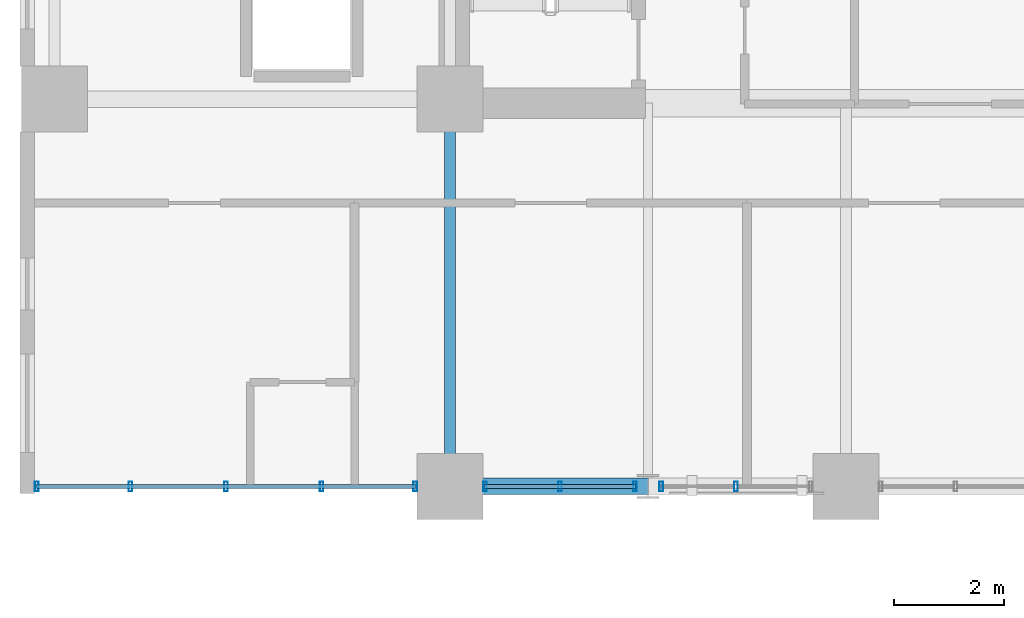
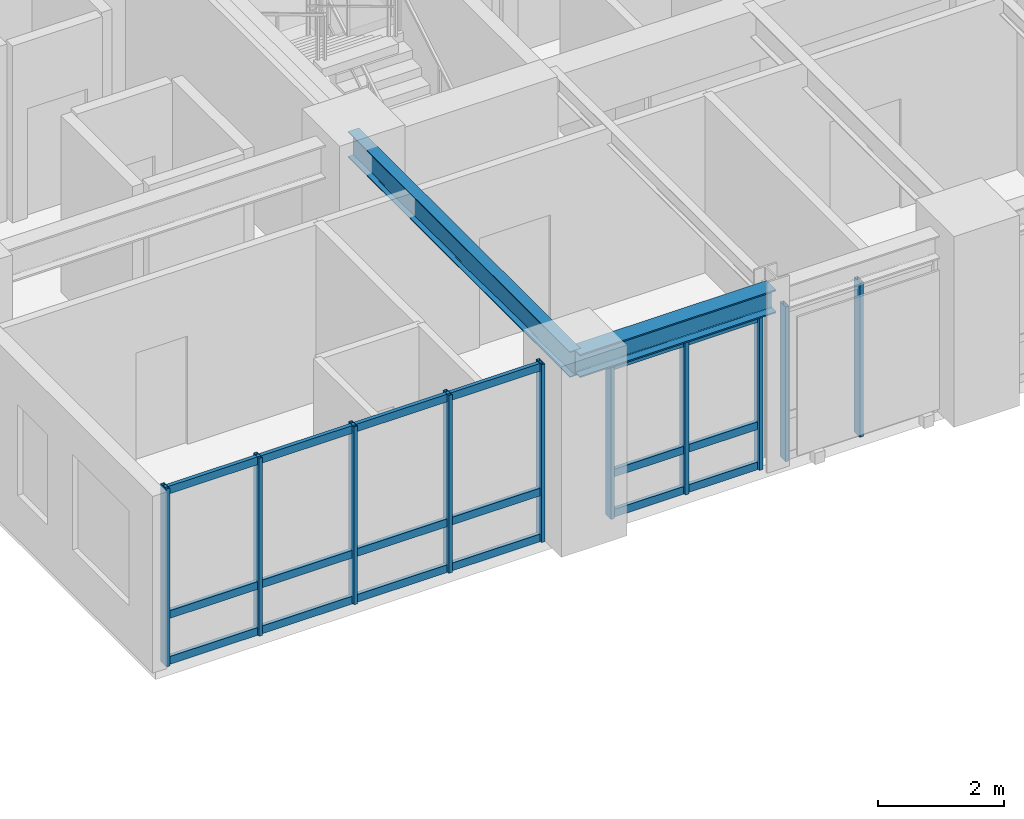
# One storey, part 2 of 16: 16 members, 2 beams, 3 elements without a shape of their own.
"""IFC4 building model written with IfcOpenShell, lengths in metres."""

import ifcopenshell
import ifcopenshell.guid

model = None  # the IFC model being written
_history = None  # IfcOwnerHistory: only IFC2X3 demands one
_inside = {}  # id of a spatial element -> (the spatial element, [elements in it])
_under = {}  # id of a project, library or spatial element -> (it, [spatial elements below it])
_declared = {}  # id of a project -> (the project, [libraries it declares])
_typed = {}  # id of a type object -> (the type object, [elements of that type])
_made_of = {}  # id of a material, layer set ... -> (it, [elements and type objects made of it])


def new_model(schema):
    """Start an empty IFC model of exactly this schema.

    Asked for "IFC4X3", IfcOpenShell would pick the latest addendum, in which some entities
    have other attributes; the version numbers below select the first issue.
    IFC2X3 requires an IfcOwnerHistory on every rooted entity: one is made here for all.
    """
    global model, _history
    if schema == "IFC4X3":
        model = ifcopenshell.file(schema_version=(4, 3, 0, 0))
    else:
        model = ifcopenshell.file(schema=schema)
    _inside.clear()
    _under.clear()
    _declared.clear()
    _typed.clear()
    _made_of.clear()
    _history = None
    if model.schema == "IFC2X3":
        org = make("IfcOrganization", Name="unknown")
        user = make(
            "IfcPersonAndOrganization",
            ThePerson=make("IfcPerson", FamilyName="unknown"),
            TheOrganization=org,
        )
        app = make(
            "IfcApplication",
            ApplicationDeveloper=org,
            Version="unknown",
            ApplicationFullName="unknown",
            ApplicationIdentifier="unknown",
        )
        _history = make(
            "IfcOwnerHistory",
            OwningUser=user,
            OwningApplication=app,
            ChangeAction="ADDED",
            CreationDate=0,
        )
    return model


def make(cls, **values):
    """One entity of the class cls with the attributes given. An attribute that is None is left unset."""
    return model.create_entity(
        cls, **{name: value for name, value in values.items() if value is not None}
    )


def rooted(cls, **values):
    """An entity with a GlobalId (a new one), such as an element, a storey or a relation."""
    return make(cls, GlobalId=ifcopenshell.guid.new(), OwnerHistory=_history, **values)


def si_unit(unit_type, name, prefix=None):
    """IfcSIUnit, for example si_unit("LENGTHUNIT", "METRE", prefix="MILLI")."""
    return make("IfcSIUnit", UnitType=unit_type, Prefix=prefix, Name=name)


def assignment(units):
    """IfcUnitAssignment: the units of a project."""
    return None if units is None else make("IfcUnitAssignment", Units=units)


def point(xyz):
    """IfcCartesianPoint."""
    return None if xyz is None else make("IfcCartesianPoint", Coordinates=xyz)


def direction(xyz):
    """IfcDirection."""
    return None if xyz is None else make("IfcDirection", DirectionRatios=xyz)


def frame(location, z_axis=None, x_axis=None):
    """IfcAxis2Placement3D, a coordinate frame: its origin and axes. An axis left out is left unset."""
    return make(
        "IfcAxis2Placement3D",
        Location=point(location),
        Axis=direction(z_axis),
        RefDirection=direction(x_axis),
    )


def frame_2d(location, x_axis=None):
    """IfcAxis2Placement2D, a coordinate frame in the plane: its origin and x axis."""
    return make(
        "IfcAxis2Placement2D", Location=point(location), RefDirection=direction(x_axis)
    )


def origin():
    """The frame at (0, 0, 0) with its axes left unset."""
    return frame((0.0, 0.0, 0.0))


def origin_2d():
    """The frame at (0, 0) in the plane with its x axis left unset."""
    return frame_2d((0.0, 0.0))


def place(relative_to, where):
    """IfcLocalPlacement: puts the frame where relative to a parent placement (None: the world)."""
    return make(
        "IfcLocalPlacement", PlacementRelTo=relative_to, RelativePlacement=where
    )


def context(
    kind, dimensions, precision=None, world=None, true_north=None, identifier=None
):
    """IfcGeometricRepresentationContext, for example the 3D "Model" context."""
    return make(
        "IfcGeometricRepresentationContext",
        ContextIdentifier=identifier,
        ContextType=kind,
        CoordinateSpaceDimension=dimensions,
        Precision=precision,
        WorldCoordinateSystem=world,
        TrueNorth=true_north,
    )


def subcontext(parent, identifier, kind, view, scale=None):
    """IfcGeometricRepresentationSubContext, for example "Body" below "Model"."""
    return make(
        "IfcGeometricRepresentationSubContext",
        ContextIdentifier=identifier,
        ContextType=kind,
        ParentContext=parent,
        TargetScale=scale,
        TargetView=view,
    )


def project(units=None, contexts=None):
    """IfcProject with its units and contexts."""
    return rooted(
        "IfcProject",
        Name="project",
        RepresentationContexts=contexts,
        UnitsInContext=assignment(units),
    )


def spatial(cls, under=None, at=None, **own):
    """A site, building, storey or space (cls), placed at a placement, below another one or the project."""
    s = rooted(cls, ObjectPlacement=at, **own)
    if under is not None:
        _under.setdefault(under.id(), (under, []))[1].append(s)
    return s


def profile(cls, at=None, kind="AREA", **sizes):
    """A parametric profile (cls). Its sizes go by their IFC names, for example OverallWidth=200.0."""
    return make(cls, ProfileType=kind, Position=at, **sizes)


def hollow_rectangle(**sizes):
    """IfcRectangleHollowProfileDef."""
    return profile("IfcRectangleHollowProfileDef", **sizes)


def i_section(**sizes):
    """IfcIShapeProfileDef."""
    return profile("IfcIShapeProfileDef", **sizes)


def extrude(swept, where, along, depth):
    """IfcExtrudedAreaSolid: the profile swept, set in the frame where, extruded along a direction by depth."""
    return make(
        "IfcExtrudedAreaSolid",
        SweptArea=swept,
        Position=where,
        ExtrudedDirection=direction(along),
        Depth=depth,
    )


def shape(context_of_items, identifier, shape_type, items):
    """IfcShapeRepresentation: the items that make up one representation, for example the "Body"."""
    return make(
        "IfcShapeRepresentation",
        ContextOfItems=context_of_items,
        RepresentationIdentifier=identifier,
        RepresentationType=shape_type,
        Items=items,
    )


def source(mapping_origin, context_of_items, identifier, shape_type, items):
    """IfcRepresentationMap: a shape defined once, which mapped items show again and again."""
    return make(
        "IfcRepresentationMap",
        MappingOrigin=mapping_origin,
        MappedRepresentation=shape(context_of_items, identifier, shape_type, items),
    )


def transform(
    local_origin,
    x_axis=None,
    y_axis=None,
    z_axis=None,
    scale=None,
    scale2=None,
    scale3=None,
    uniform=True,
):
    """IfcCartesianTransformationOperator3D, or its non-uniform kind. x_axis, y_axis, z_axis: its Axis1, 2, 3."""
    if uniform:
        return make(
            "IfcCartesianTransformationOperator3D",
            Axis1=direction(x_axis),
            Axis2=direction(y_axis),
            LocalOrigin=point(local_origin),
            Scale=scale,
            Axis3=direction(z_axis),
        )
    return make(
        "IfcCartesianTransformationOperator3DnonUniform",
        Axis1=direction(x_axis),
        Axis2=direction(y_axis),
        LocalOrigin=point(local_origin),
        Scale=scale,
        Axis3=direction(z_axis),
        Scale2=scale2,
        Scale3=scale3,
    )


def mapped(mapping_source, mapping_target):
    """IfcMappedItem: shows the shape of a source again, moved by a transform."""
    return make(
        "IfcMappedItem", MappingSource=mapping_source, MappingTarget=mapping_target
    )


def material(Name=None, Category=None):
    """IfcMaterial."""
    return make("IfcMaterial", Name=Name, Category=Category)


def layer(
    of_material, thickness, ventilated=None, Name=None, Category=None, Priority=None
):
    """IfcMaterialLayer: one layer of a wall or slab, of a material (None: an air gap)."""
    return make(
        "IfcMaterialLayer",
        Material=of_material,
        LayerThickness=thickness,
        IsVentilated=ventilated,
        Name=Name,
        Category=Category,
        Priority=Priority,
    )


def layer_set(layers, Name=None):
    """IfcMaterialLayerSet."""
    return make("IfcMaterialLayerSet", MaterialLayers=layers, LayerSetName=Name)


def material_profile(
    of_material, cross_section, Name=None, Category=None, Priority=None
):
    """IfcMaterialProfile: a cross section and its material."""
    return make(
        "IfcMaterialProfile",
        Name=Name,
        Material=of_material,
        Profile=cross_section,
        Priority=Priority,
        Category=Category,
    )


def profile_set(profiles, Name=None, composite=None):
    """IfcMaterialProfileSet."""
    return make(
        "IfcMaterialProfileSet",
        Name=Name,
        MaterialProfiles=profiles,
        CompositeProfile=composite,
    )


def made_of(thing, what):
    """Note that an element or type object is made of a material, layer set ...; save() writes the relation."""
    if what is not None:
        _made_of.setdefault(what.id(), (what, []))[1].append(thing)
    return thing


def type_object(cls, material=None, **own):
    """A type object (cls), such as IfcWallType, which elements share."""
    return made_of(rooted(cls, **own), material)


def element(
    cls,
    number,
    at=None,
    inside=None,
    cuts=None,
    type_object=None,
    material=None,
    context=None,
    identifier="Body",
    shape_type=None,
    held_by="IfcProductDefinitionShape",
    body=None,
    shapes=None,
    **own,
):
    """One element of the class cls, such as IfcWall. Its Tag is "e" and its number.

    at: its placement. inside: the storey or other place that contains it. cuts: it is an
    opening in that element (IfcRelVoidsElement). A single representation is given by context,
    identifier, shape_type and body (its items); several are given by shapes. held_by: the class
    of the entity that holds the representations. save() writes the other relations.
    """
    e = rooted(cls, Tag="e%d" % number, ObjectPlacement=at, **own)
    if body is not None:
        shapes = [shape(context, identifier, shape_type, body)]
    if shapes is not None:
        e.Representation = make(held_by, Representations=shapes)
    if inside is not None:
        _inside.setdefault(inside.id(), (inside, []))[1].append(e)
    if cuts is not None:
        rooted(
            "IfcRelVoidsElement", RelatingBuildingElement=cuts, RelatedOpeningElement=e
        )
    if type_object is not None:
        _typed.setdefault(type_object.id(), (type_object, []))[1].append(e)
    return made_of(e, material)


def aggregate(whole, parts):
    """IfcRelAggregates: a whole, such as a stair, and the parts it consists of."""
    return rooted("IfcRelAggregates", RelatingObject=whole, RelatedObjects=parts)


def save(model, path):
    """Write the relations noted so far, then the file.

    IfcRelAggregates (storeys below a building ...), IfcRelContainedInSpatialStructure (elements
    in a storey), IfcRelDefinesByType, IfcRelAssociatesMaterial and IfcRelDeclares: one each for
    every whole, place, type object, material and project.
    """
    for whole, parts in _under.values():
        aggregate(whole, parts)
    for where, things in _inside.values():
        rooted(
            "IfcRelContainedInSpatialStructure",
            RelatedElements=things,
            RelatingStructure=where,
        )
    for kind, things in _typed.values():
        rooted("IfcRelDefinesByType", RelatedObjects=things, RelatingType=kind)
    for what, things in _made_of.values():
        rooted("IfcRelAssociatesMaterial", RelatedObjects=things, RelatingMaterial=what)
    for by, libraries in _declared.values():
        rooted("IfcRelDeclares", RelatingContext=by, RelatedDefinitions=libraries)
    model.write(path)


model = new_model("IFC4")

# Units and contexts
model_context = context("Model", 3, precision=1e-05, world=origin(), true_north=direction((0.0, 1.0)))
body_context = subcontext(model_context, "Body", "Model", "MODEL_VIEW")
ifc_project = project(units=[si_unit("LENGTHUNIT", "METRE"), si_unit("AREAUNIT", "SQUARE_METRE"), si_unit("VOLUMEUNIT", "CUBIC_METRE"), si_unit("PLANEANGLEUNIT", "RADIAN"), si_unit("MASSUNIT", "GRAM", prefix="KILO")], contexts=[model_context])

# Site, building, storey
site_placement = place(None, origin())
site = spatial("IfcSite", under=ifc_project, at=site_placement, CompositionType="ELEMENT")
building_placement = place(site_placement, origin())
building = spatial("IfcBuilding", under=site, at=building_placement, Name="Kaliganga Portal Commons", CompositionType="ELEMENT")
storey_placement = place(building_placement, frame((0.0, 0.0, 97.10009765625)))
storey = spatial("IfcBuildingStorey", under=building, at=storey_placement, Name="L24", CompositionType="ELEMENT", Elevation=97.10009765625)

# Beams
ifc_material_1 = material(Name="Structural steel S355J2", Category="steel")
ifc_material_profile_1 = material_profile(ifc_material_1, i_section(OverallWidth=0.199951171875, OverallDepth=0.5, WebThickness=0.01025390625, FlangeThickness=0.01611328125, FilletRadius=0.02099609375, at=origin_2d()), Name="IPE 500")
ifc_profile_set_1 = profile_set([ifc_material_profile_1], Name="Structural steel S355J2 wide-flange")
beam_type_1 = type_object("IfcBeamType", Name="BM-FLR-500", PredefinedType="BEAM", material=ifc_profile_set_1)
shared_shape_1 = source(origin(), body_context, "Body", "SweptSolid", [
    extrude(i_section(OverallWidth=0.199951171875, OverallDepth=0.5, WebThickness=0.01025390625, FlangeThickness=0.01611328125, FilletRadius=0.02099609375, at=origin_2d()), origin(), (0.0, 0.0, 1.0), 7.0498046875),
])
beam_1_placement = place(storey_placement, frame((14.39990234375, 21.60009765625, 3.199951171875), z_axis=(0.0, 1.0, 0.0), x_axis=(-1.0, 0.0, 0.0)))
element("IfcBeam", 1, at=beam_1_placement, inside=storey, type_object=beam_type_1, Name="BM G L24 AS144", PredefinedType="BEAM", context=body_context, shape_type="MappedRepresentation", body=[
    mapped(shared_shape_1, transform((0.0, 0.0, 0.0), x_axis=(1.0, 0.0, 0.0), y_axis=(0.0, 1.0, 0.0), z_axis=(0.0, 0.0, 1.0), scale=1.0)),
])
ifc_material_profile_2 = material_profile(ifc_material_1, i_section(OverallWidth=0.300048828125, OverallDepth=0.449951171875, WebThickness=0.013916015625, FlangeThickness=0.02587890625, FilletRadius=0.027099609375, at=origin_2d()), Name="HE 450 B")
ifc_profile_set_2 = profile_set([ifc_material_profile_2], Name="Structural steel S355J2 wide-flange")
beam_type_2 = type_object("IfcBeamType", Name="BM-SPAND-450", PredefinedType="SPANDREL", material=ifc_profile_set_2)
shared_shape_2 = source(origin(), body_context, "Body", "SweptSolid", [
    extrude(i_section(OverallWidth=0.300048828125, OverallDepth=0.449951171875, WebThickness=0.013916015625, FlangeThickness=0.02587890625, FilletRadius=0.027099609375, at=origin_2d()), origin(), (0.0, 0.0, 1.0), 3.60009765625),
])
beam_2_placement = place(storey_placement, frame((14.39990234375, 21.60009765625, 3.224853515625), z_axis=(1.0, 0.0, 0.0), x_axis=(0.0, 1.0, 0.0)))
element("IfcBeam", 2, at=beam_2_placement, inside=storey, type_object=beam_type_2, Name="BM SP L24 AS 1", PredefinedType="SPANDREL", context=body_context, shape_type="MappedRepresentation", body=[
    mapped(shared_shape_2, transform((0.0, 0.0, 0.0), x_axis=(1.0, 0.0, 0.0), y_axis=(0.0, 1.0, 0.0), z_axis=(0.0, 0.0, 1.0), scale=1.0)),
])

# Curtain wall, members
ifc_material_2 = material(Name="Anodized Aluminium and Laminated Low-E Glass", Category="aluminium")
ifc_layer = layer(ifc_material_2, 0.2099609375)
ifc_layer_set = layer_set([ifc_layer], Name="Anodized Aluminium and Laminated Low-E Glass")
curtain_wall_type = type_object("IfcCurtainWallType", Name="CW-SYS-03", PredefinedType="NOTDEFINED", material=ifc_layer_set)
curtain_wall_1_placement = place(storey_placement, origin())
curtain_wall_1 = element("IfcCurtainWall", 3, at=curtain_wall_1_placement, inside=storey, type_object=curtain_wall_type, Name="CW 03 L24 P1E04S1", PredefinedType="NOTDEFINED")
ifc_material_3 = material(Name="Dark Bronze Anodized Aluminium", Category="aluminium")
ifc_material_profile_3 = material_profile(ifc_material_3, hollow_rectangle(XDim=0.06494140625, YDim=0.179931640625, WallThickness=0.00390625, at=origin_2d()), Name="ALU MULL 65x180x4")
ifc_profile_set_3 = profile_set([ifc_material_profile_3], Name="Dark Bronze Anodized Aluminium")
member_type_1 = type_object("IfcMemberType", Name="CW-MUL-180", PredefinedType="MULLION", material=ifc_profile_set_3)
shared_shape_3 = source(origin(), body_context, "Body", "SweptSolid", [
    extrude(hollow_rectangle(XDim=0.06494140625, YDim=0.179931640625, WallThickness=0.00390625, at=origin_2d()), origin(), (0.0, 0.0, 1.0), 3.449951171875),
])
member_1_placement = place(storey_placement, frame((6.875, 21.60009765625, 0.0), z_axis=(0.0, 0.0, 1.0), x_axis=(1.0, 0.0, 0.0)))
member_1 = element("IfcMember", 4, at=member_1_placement, type_object=member_type_1, Name="CW:03:L24:P1E04S1 Mullion 00", PredefinedType="MULLION", context=body_context, shape_type="MappedRepresentation", body=[
    mapped(shared_shape_3, transform((0.0, 0.0, 0.0), x_axis=(1.0, 0.0, 0.0), y_axis=(0.0, 1.0, 0.0), z_axis=(0.0, 0.0, 1.0), scale=1.0)),
])
member_2_placement = place(storey_placement, frame((8.579833984375, 21.60009765625, 0.0), z_axis=(0.0, 0.0, 1.0), x_axis=(1.0, 0.0, 0.0)))
member_2 = element("IfcMember", 5, at=member_2_placement, type_object=member_type_1, Name="CW:03:L24:P1E04S1 Mullion 01", PredefinedType="MULLION", context=body_context, shape_type="MappedRepresentation", body=[
    mapped(shared_shape_3, transform((0.0, 0.0, 0.0), x_axis=(1.0, 0.0, 0.0), y_axis=(0.0, 1.0, 0.0), z_axis=(0.0, 0.0, 1.0), scale=1.0)),
])
member_3_placement = place(storey_placement, frame((10.319580078125, 21.60009765625, 0.0), z_axis=(0.0, 0.0, 1.0), x_axis=(1.0, 0.0, 0.0)))
member_3 = element("IfcMember", 6, at=member_3_placement, type_object=member_type_1, Name="CW:03:L24:P1E04S1 Mullion 02", PredefinedType="MULLION", context=body_context, shape_type="MappedRepresentation", body=[
    mapped(shared_shape_3, transform((0.0, 0.0, 0.0), x_axis=(1.0, 0.0, 0.0), y_axis=(0.0, 1.0, 0.0), z_axis=(0.0, 0.0, 1.0), scale=1.0)),
])
member_4_placement = place(storey_placement, frame((12.05908203125, 21.60009765625, 0.0), z_axis=(0.0, 0.0, 1.0), x_axis=(1.0, 0.0, 0.0)))
member_4 = element("IfcMember", 7, at=member_4_placement, type_object=member_type_1, Name="CW:03:L24:P1E04S1 Mullion 03", PredefinedType="MULLION", context=body_context, shape_type="MappedRepresentation", body=[
    mapped(shared_shape_3, transform((0.0, 0.0, 0.0), x_axis=(1.0, 0.0, 0.0), y_axis=(0.0, 1.0, 0.0), z_axis=(0.0, 0.0, 1.0), scale=1.0)),
])
member_5_placement = place(storey_placement, frame((13.763916015625, 21.60009765625, 0.0), z_axis=(0.0, 0.0, 1.0), x_axis=(1.0, 0.0, 0.0)))
member_5 = element("IfcMember", 8, at=member_5_placement, type_object=member_type_1, Name="CW:03:L24:P1E04S1 Mullion 04", PredefinedType="MULLION", context=body_context, shape_type="MappedRepresentation", body=[
    mapped(shared_shape_3, transform((0.0, 0.0, 0.0), x_axis=(1.0, 0.0, 0.0), y_axis=(0.0, 1.0, 0.0), z_axis=(0.0, 0.0, 1.0), scale=1.0)),
])
ifc_material_profile_4 = material_profile(ifc_material_3, hollow_rectangle(XDim=0.070068359375, YDim=0.14990234375, WallThickness=0.00341796875, at=origin_2d()), Name="ALU TRAN 70x150x3.5")
ifc_profile_set_4 = profile_set([ifc_material_profile_4], Name="Dark Bronze Anodized Aluminium")
member_type_2 = type_object("IfcMemberType", Name="CW-TRN-150", PredefinedType="USERDEFINED", material=ifc_profile_set_4)
shared_shape_4 = source(origin(), body_context, "Body", "SweptSolid", [
    extrude(hollow_rectangle(XDim=0.070068359375, YDim=0.14990234375, WallThickness=0.00341796875, at=origin_2d()), origin(), (0.0, 0.0, 1.0), 6.9189453125),
])
member_6_placement = place(storey_placement, frame((6.860107421875, 21.60009765625, 0.059814453125), z_axis=(1.0, 0.0, 0.0), x_axis=(0.0, 1.0, 0.0)))
member_6 = element("IfcMember", 9, at=member_6_placement, type_object=member_type_2, Name="CW:03:L24:P1E04S1 Transom 1", ObjectType="TRANSOM", PredefinedType="USERDEFINED", context=body_context, shape_type="MappedRepresentation", body=[
    mapped(shared_shape_4, transform((0.0, 0.0, 0.0), x_axis=(1.0, 0.0, 0.0), y_axis=(0.0, 1.0, 0.0), z_axis=(0.0, 0.0, 1.0), scale=1.0)),
])
member_7_placement = place(storey_placement, frame((6.860107421875, 21.60009765625, 0.949951171875), z_axis=(1.0, 0.0, 0.0), x_axis=(0.0, 1.0, 0.0)))
member_7 = element("IfcMember", 10, at=member_7_placement, type_object=member_type_2, Name="CW:03:L24:P1E04S1 Transom 2", ObjectType="TRANSOM", PredefinedType="USERDEFINED", context=body_context, shape_type="MappedRepresentation", body=[
    mapped(shared_shape_4, transform((0.0, 0.0, 0.0), x_axis=(1.0, 0.0, 0.0), y_axis=(0.0, 1.0, 0.0), z_axis=(0.0, 0.0, 1.0), scale=1.0)),
])
member_8_placement = place(storey_placement, frame((6.860107421875, 21.60009765625, 3.369873046875), z_axis=(1.0, 0.0, 0.0), x_axis=(0.0, 1.0, 0.0)))
member_8 = element("IfcMember", 11, at=member_8_placement, type_object=member_type_2, Name="CW:03:L24:P1E04S1 Transom 3", ObjectType="TRANSOM", PredefinedType="USERDEFINED", context=body_context, shape_type="MappedRepresentation", body=[
    mapped(shared_shape_4, transform((0.0, 0.0, 0.0), x_axis=(1.0, 0.0, 0.0), y_axis=(0.0, 1.0, 0.0), z_axis=(0.0, 0.0, 1.0), scale=1.0)),
])
aggregate(curtain_wall_1, [member_1, member_2, member_3, member_4, member_5, member_6, member_7, member_8])

curtain_wall_2_placement = place(storey_placement, origin())
curtain_wall_2 = element("IfcCurtainWall", 12, at=curtain_wall_2_placement, inside=storey, type_object=curtain_wall_type, Name="CW 03 L24 P1E04S2", PredefinedType="NOTDEFINED")
shared_shape_5 = source(origin(), body_context, "Body", "SweptSolid", [
    extrude(hollow_rectangle(XDim=0.070068359375, YDim=0.14990234375, WallThickness=0.00341796875, at=origin_2d()), origin(), (0.0, 0.0, 1.0), 2.75341796875),
])
member_9_placement = place(storey_placement, frame((15.02099609375, 21.60009765625, 0.059814453125), z_axis=(1.0, 0.0, 0.0), x_axis=(0.0, 1.0, 0.0)))
member_9 = element("IfcMember", 13, at=member_9_placement, type_object=member_type_2, Name="CW:03:L24:P1E04S2 Transom 1", ObjectType="TRANSOM", PredefinedType="USERDEFINED", context=body_context, shape_type="MappedRepresentation", body=[
    mapped(shared_shape_5, transform((0.0, 0.0, 0.0), x_axis=(1.0, 0.0, 0.0), y_axis=(0.0, 1.0, 0.0), z_axis=(0.0, 0.0, 1.0), scale=1.0)),
])
member_10_placement = place(storey_placement, frame((15.02099609375, 21.60009765625, 0.83984375), z_axis=(1.0, 0.0, 0.0), x_axis=(0.0, 1.0, 0.0)))
member_10 = element("IfcMember", 14, at=member_10_placement, type_object=member_type_2, Name="CW:03:L24:P1E04S2 Transom 2", ObjectType="TRANSOM", PredefinedType="USERDEFINED", context=body_context, shape_type="MappedRepresentation", body=[
    mapped(shared_shape_5, transform((0.0, 0.0, 0.0), x_axis=(1.0, 0.0, 0.0), y_axis=(0.0, 1.0, 0.0), z_axis=(0.0, 0.0, 1.0), scale=1.0)),
])
member_11_placement = place(storey_placement, frame((15.02099609375, 21.60009765625, 2.919921875), z_axis=(1.0, 0.0, 0.0), x_axis=(0.0, 1.0, 0.0)))
member_11 = element("IfcMember", 15, at=member_11_placement, type_object=member_type_2, Name="CW:03:L24:P1E04S2 Transom 3", ObjectType="TRANSOM", PredefinedType="USERDEFINED", context=body_context, shape_type="MappedRepresentation", body=[
    mapped(shared_shape_5, transform((0.0, 0.0, 0.0), x_axis=(1.0, 0.0, 0.0), y_axis=(0.0, 1.0, 0.0), z_axis=(0.0, 0.0, 1.0), scale=1.0)),
])
shared_shape_6 = source(origin(), body_context, "Body", "SweptSolid", [
    extrude(hollow_rectangle(XDim=0.06494140625, YDim=0.179931640625, WallThickness=0.00390625, at=origin_2d()), origin(), (0.0, 0.0, 1.0), 3.0),
])
member_12_placement = place(storey_placement, frame((15.035888671875, 21.60009765625, 0.0), z_axis=(0.0, 0.0, 1.0), x_axis=(1.0, 0.0, 0.0)))
member_12 = element("IfcMember", 16, at=member_12_placement, type_object=member_type_1, Name="CW:03:L24:P1E04S2 Mullion 00", PredefinedType="MULLION", context=body_context, shape_type="MappedRepresentation", body=[
    mapped(shared_shape_6, transform((0.0, 0.0, 0.0), x_axis=(1.0, 0.0, 0.0), y_axis=(0.0, 1.0, 0.0), z_axis=(0.0, 0.0, 1.0), scale=1.0)),
])
member_13_placement = place(storey_placement, frame((16.397705078125, 21.60009765625, 0.0), z_axis=(0.0, 0.0, 1.0), x_axis=(1.0, 0.0, 0.0)))
member_13 = element("IfcMember", 17, at=member_13_placement, type_object=member_type_1, Name="CW:03:L24:P1E04S2 Mullion 01", PredefinedType="MULLION", context=body_context, shape_type="MappedRepresentation", body=[
    mapped(shared_shape_6, transform((0.0, 0.0, 0.0), x_axis=(1.0, 0.0, 0.0), y_axis=(0.0, 1.0, 0.0), z_axis=(0.0, 0.0, 1.0), scale=1.0)),
])
member_14_placement = place(storey_placement, frame((17.759521484375, 21.60009765625, 0.0), z_axis=(0.0, 0.0, 1.0), x_axis=(1.0, 0.0, 0.0)))
member_14 = element("IfcMember", 18, at=member_14_placement, type_object=member_type_1, Name="CW:03:L24:P1E04S2 Mullion 02", PredefinedType="MULLION", context=body_context, shape_type="MappedRepresentation", body=[
    mapped(shared_shape_6, transform((0.0, 0.0, 0.0), x_axis=(1.0, 0.0, 0.0), y_axis=(0.0, 1.0, 0.0), z_axis=(0.0, 0.0, 1.0), scale=1.0)),
])
aggregate(curtain_wall_2, [member_12, member_13, member_14, member_9, member_10, member_11])

curtain_wall_3_placement = place(storey_placement, origin())
curtain_wall_3 = element("IfcCurtainWall", 19, at=curtain_wall_3_placement, inside=storey, type_object=curtain_wall_type, Name="CW 03 L24 P1E04S3", PredefinedType="NOTDEFINED")
member_15_placement = place(storey_placement, frame((18.240478515625, 21.60009765625, 0.0), z_axis=(0.0, 0.0, 1.0), x_axis=(1.0, 0.0, 0.0)))
member_15 = element("IfcMember", 20, at=member_15_placement, type_object=member_type_1, Name="CW:03:L24:P1E04S3 Mullion 00", PredefinedType="MULLION", context=body_context, shape_type="MappedRepresentation", body=[
    mapped(shared_shape_6, transform((0.0, 0.0, 0.0), x_axis=(1.0, 0.0, 0.0), y_axis=(0.0, 1.0, 0.0), z_axis=(0.0, 0.0, 1.0), scale=1.0)),
])
member_16_placement = place(storey_placement, frame((19.602294921875, 21.60009765625, 0.0), z_axis=(0.0, 0.0, 1.0), x_axis=(1.0, 0.0, 0.0)))
member_16 = element("IfcMember", 21, at=member_16_placement, type_object=member_type_1, Name="CW:03:L24:P1E04S3 Mullion 01", PredefinedType="MULLION", context=body_context, shape_type="MappedRepresentation", body=[
    mapped(shared_shape_6, transform((0.0, 0.0, 0.0), x_axis=(1.0, 0.0, 0.0), y_axis=(0.0, 1.0, 0.0), z_axis=(0.0, 0.0, 1.0), scale=1.0)),
])
aggregate(curtain_wall_3, [member_15, member_16])

save(model, "model.ifc")
